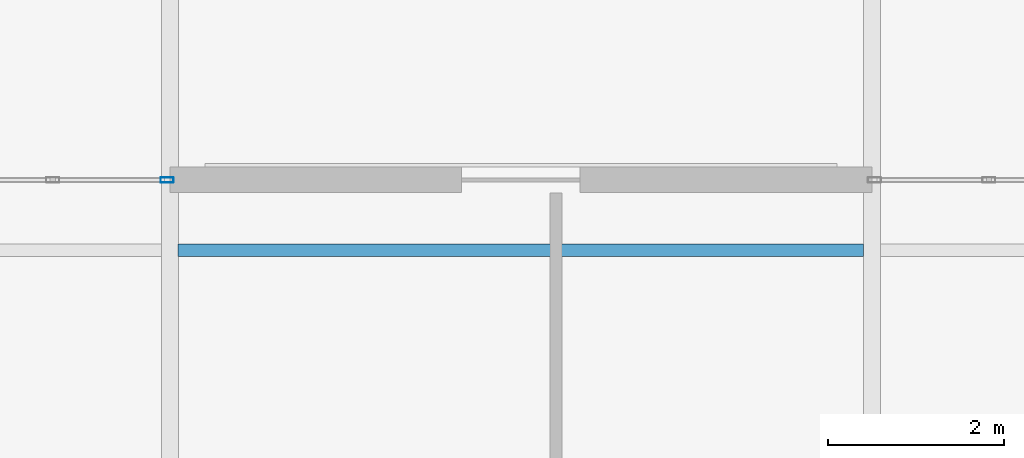
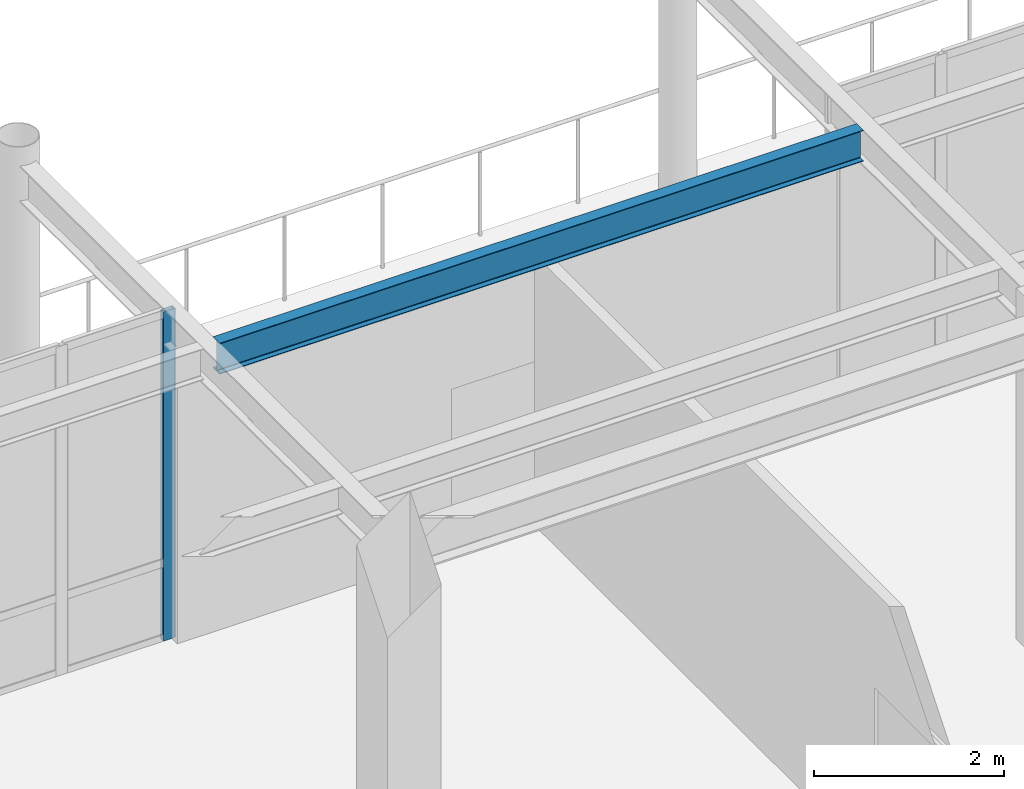
# One storey, part 26 of 75: 1 beam, 1 member, 1 element without a shape of its own.
"""IFC4 building model written with IfcOpenShell, lengths in metres."""

from ifc_helpers import new_model, si_unit, direction, frame, origin, origin_2d, place, context, subcontext, project, spatial, hollow_rectangle, i_section, extrude, material, material_profile, profile_set, type_object, element, aggregate, save


model = new_model("IFC4")

# Units and contexts
model_context = context("Model", 3, precision=1e-05, world=origin(), true_north=direction((0.0, 1.0)))
body_context = subcontext(model_context, "Body", "Model", "MODEL_VIEW")
ifc_project = project(units=[si_unit("LENGTHUNIT", "METRE"), si_unit("AREAUNIT", "SQUARE_METRE"), si_unit("VOLUMEUNIT", "CUBIC_METRE"), si_unit("PLANEANGLEUNIT", "RADIAN"), si_unit("MASSUNIT", "GRAM", prefix="KILO")], contexts=[model_context])

# Site, building, storey
site_placement = place(None, origin())
site = spatial("IfcSite", under=ifc_project, at=site_placement, CompositionType="ELEMENT")
building_placement = place(site_placement, origin())
building = spatial("IfcBuilding", under=site, at=building_placement, Name="Solmirada Galleria", CompositionType="ELEMENT")
storey_placement = place(building_placement, frame((0.0, 0.0, 19.39990234375)))
storey = spatial("IfcBuildingStorey", under=building, at=storey_placement, Name="L04", CompositionType="ELEMENT", Elevation=19.39990234375)

# Beam
ifc_material_1 = material(Name="Steel S355 / ASTM A992 Grade 50", Category="steel")
ifc_material_profile_1 = material_profile(ifc_material_1, i_section(OverallWidth=0.139892578125, OverallDepth=0.39892578125, WebThickness=0.00634765625, FlangeThickness=0.0087890625, FilletRadius=0.010986328125, at=origin_2d()), Name="W16X26")
ifc_profile_set_1 = profile_set([ifc_material_profile_1], Name="Steel S355 / ASTM A992 Grade 50")
beam_type = type_object("IfcBeamType", Name="BM-JST-W16C", PredefinedType="JOIST", material=ifc_profile_set_1)
beam_placement = place(storey_placement, frame((120.096435546875, 28.0, 4.060546875), z_axis=(1.0, 0.0, 0.0), x_axis=(0.0, 1.0, 0.0)))
element("IfcBeam", 1, at=beam_placement, inside=storey, type_object=beam_type, Name="Composite floor joist L05 (120..128, 28.0)", PredefinedType="JOIST", context=body_context, shape_type="SweptSolid", body=[
    extrude(i_section(OverallWidth=0.139892578125, OverallDepth=0.39892578125, WebThickness=0.00634765625, FlangeThickness=0.0087890625, FilletRadius=0.010986328125, at=origin_2d()), origin(), (0.0, 0.0, 1.0), 7.80712890625),
])

# Curtain wall, member
ifc_material_2 = material(Name="Impact-resistant low-E double glazing", Category="glass")
curtain_wall_type = type_object("IfcCurtainWallType", Name="CW-FZ5-L04-B6-L080", PredefinedType="NOTDEFINED", material=ifc_material_2)
curtain_wall_placement = place(storey_placement, origin())
curtain_wall = element("IfcCurtainWall", 2, at=curtain_wall_placement, inside=storey, type_object=curtain_wall_type, Name="Terrace and arcade storefront CW-L04-161", PredefinedType="NOTDEFINED")
ifc_material_3 = material(Name="Anodised aluminium framing", Category="aluminium")
ifc_material_profile_2 = material_profile(ifc_material_3, hollow_rectangle(XDim=0.06005859375, YDim=0.14990234375, WallThickness=0.00341796875, InnerFilletRadius=0.00341796875, OuterFilletRadius=0.007080078125, at=origin_2d()), Name="ALU-MULL-150X60")
ifc_profile_set_2 = profile_set([ifc_material_profile_2], Name="Anodised aluminium framing")
member_type = type_object("IfcMemberType", Name="CW-MULL-150", PredefinedType="MULLION", material=ifc_profile_set_2)
member_placement = place(storey_placement, frame((119.969970703125, 28.800048828125, 0.0), z_axis=(0.0, 0.0, 1.0), x_axis=(0.0, 1.0, 0.0)))
member = element("IfcMember", 3, at=member_placement, type_object=member_type, Name="CW32 mullion 7", PredefinedType="MULLION", context=body_context, shape_type="SweptSolid", body=[
    extrude(hollow_rectangle(XDim=0.06005859375, YDim=0.14990234375, WallThickness=0.00341796875, InnerFilletRadius=0.00341796875, OuterFilletRadius=0.007080078125, at=origin_2d()), origin(), (0.0, 0.0, 1.0), 4.22021484375),
])
aggregate(curtain_wall, [member])

save(model, "model.ifc")
